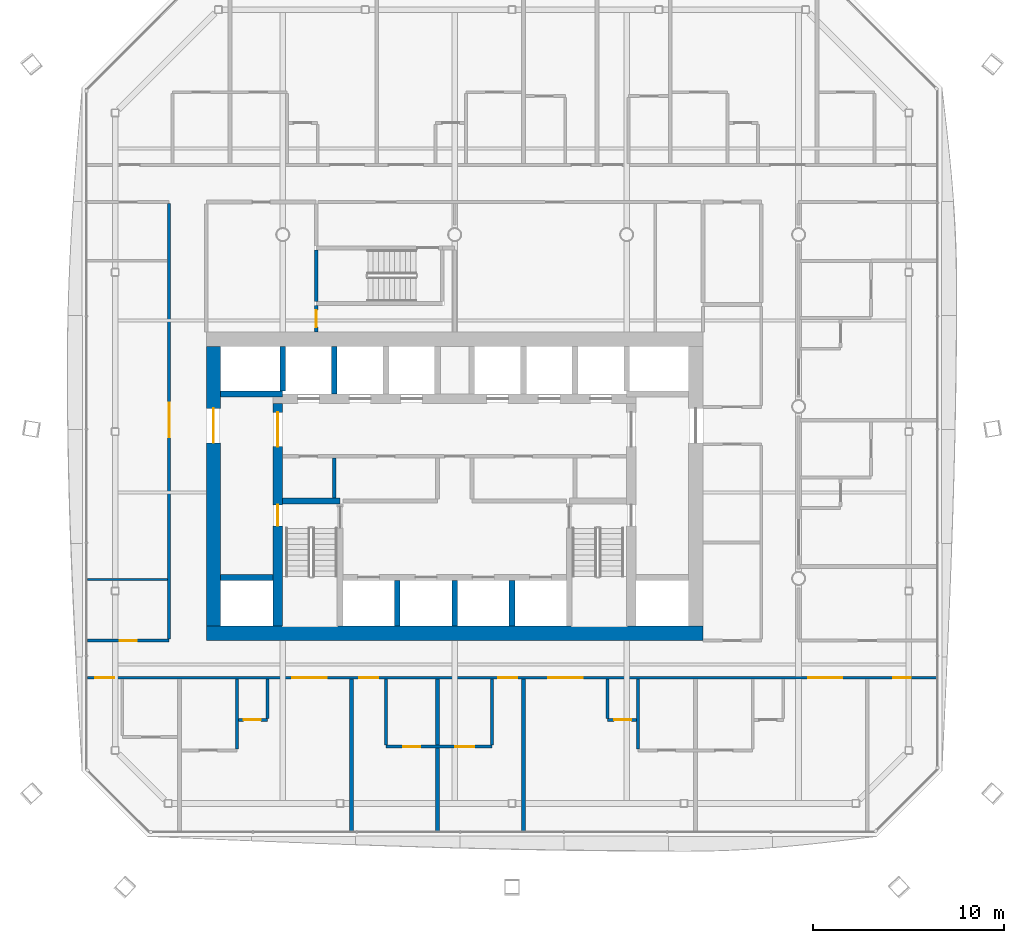
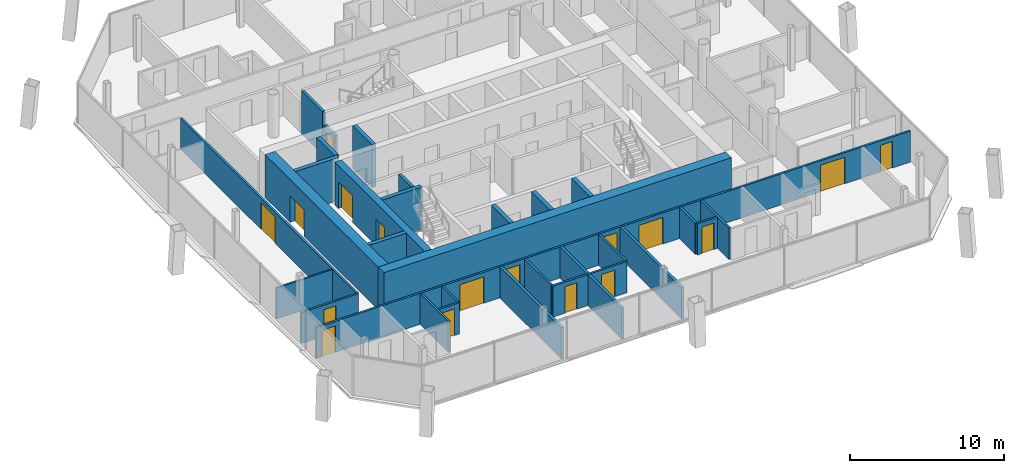
# One storey, part 11 of 18: 30 walls, 17 doors, 17 openings.
"""IFC4 building model written with IfcOpenShell, lengths in metres."""

from ifc_helpers import new_model, si_unit, direction, frame, frame_2d, origin, place, context, subcontext, project, spatial, rectangle, extrude, material, layer, layer_set, type_object, element, fill, save


model = new_model("IFC4")

# Units and contexts
model_context = context("Model", 3, precision=1e-05, world=origin(), true_north=direction((0.0, 1.0)))
body_context = subcontext(model_context, "Body", "Model", "MODEL_VIEW")
ifc_project = project(units=[si_unit("LENGTHUNIT", "METRE"), si_unit("AREAUNIT", "SQUARE_METRE"), si_unit("VOLUMEUNIT", "CUBIC_METRE"), si_unit("PLANEANGLEUNIT", "RADIAN"), si_unit("MASSUNIT", "GRAM", prefix="KILO")], contexts=[model_context])

# Site, building, storey
site_placement = place(None, origin())
site = spatial("IfcSite", under=ifc_project, at=site_placement, CompositionType="ELEMENT")
building_placement = place(site_placement, origin())
building = spatial("IfcBuilding", under=site, at=building_placement, Name="Tskaro Facet Tower", CompositionType="ELEMENT")
storey_placement = place(building_placement, frame((0.0, 0.0, 145.300048828125)))
storey = spatial("IfcBuildingStorey", under=building, at=storey_placement, Name="L35", CompositionType="ELEMENT", Elevation=145.300048828125)

# Walls
ifc_material_1 = material(Name="Concrete C60/75", Category="concrete")
ifc_layer_1 = layer(ifc_material_1, 0.300048828125, Name="Concrete C60/75")
ifc_layer_set_1 = layer_set([ifc_layer_1], Name="Concrete C60/75")
wall_type_1 = type_object("IfcWallType", Name="CORE-SHAFT", PredefinedType="SHEAR", material=ifc_layer_set_1)
wall_1_placement = place(storey_placement, frame((-12.25, -8.949951171875, 0.0), z_axis=(0.0, 0.0, 1.0), x_axis=(1.0, 0.0, 0.0)))
element("IfcWall", 1, at=wall_1_placement, inside=storey, type_object=wall_type_1, Name="Shaft wall W013", PredefinedType="SHEAR", context=body_context, shape_type="SweptSolid", body=[
    extrude(rectangle(XDim=2.75, YDim=0.300048828125, at=frame_2d((1.375, 0.0))), origin(), (0.0, 0.0, 1.0), 3.39990234375),
])
wall_2_placement = place(storey_placement, frame((-9.0, -4.949951171875, 0.0), z_axis=(0.0, 0.0, 1.0), x_axis=(1.0, 0.0, 0.0)))
element("IfcWall", 2, at=wall_2_placement, inside=storey, type_object=wall_type_1, Name="Shaft wall W019", PredefinedType="SHEAR", context=body_context, shape_type="SweptSolid", body=[
    extrude(rectangle(XDim=3.0, YDim=0.300048828125, at=frame_2d((1.5, 0.0))), origin(), (0.0, 0.0, 1.0), 3.39990234375),
])
wall_3_placement = place(storey_placement, frame((-9.0, 0.64990234375, 0.0), z_axis=(0.0, 0.0, 1.0), x_axis=(-1.0, 0.0, 0.0)))
element("IfcWall", 3, at=wall_3_placement, inside=storey, type_object=wall_type_1, Name="Shaft wall W028", PredefinedType="SHEAR", context=body_context, shape_type="SweptSolid", body=[
    extrude(rectangle(XDim=3.25, YDim=0.300048828125, at=frame_2d((1.625, 0.0))), origin(), (0.0, 0.0, 1.0), 3.39990234375),
])
wall_4_placement = place(storey_placement, frame((-9.0, 0.800048828125, 0.0), z_axis=(0.0, 0.0, 1.0), x_axis=(0.0, 1.0, 0.0)))
element("IfcWall", 4, at=wall_4_placement, inside=storey, type_object=wall_type_1, Name="Shaft wall W062", PredefinedType="SHEAR", context=body_context, shape_type="SweptSolid", body=[
    extrude(rectangle(XDim=2.349853515625, YDim=0.300048828125, at=frame_2d((1.1748046875, 0.0))), origin(), (0.0, 0.0, 1.0), 3.39990234375),
])
wall_5_placement = place(storey_placement, frame((-6.300048828125, 0.64990234375, 0.0), z_axis=(0.0, 0.0, 1.0), x_axis=(0.0, 1.0, 0.0)))
element("IfcWall", 5, at=wall_5_placement, inside=storey, type_object=wall_type_1, Name="Shaft wall W069", PredefinedType="SHEAR", context=body_context, shape_type="SweptSolid", body=[
    extrude(rectangle(XDim=2.5, YDim=0.300048828125, at=frame_2d((1.25, 0.0))), origin(), (0.0, 0.0, 1.0), 3.39990234375),
])
for number, where, z_axis, x_axis, name in (
    (6, (-3.0, -11.5, 0.0), (0.0, 0.0, 1.0), (0.0, 1.0, 0.0), "Shaft wall W075"),
    (7, (0.0, -11.5, 0.0), (0.0, 0.0, 1.0), (0.0, 1.0, 0.0), "Shaft wall W081"),
    (8, (3.0, -11.5, 0.0), (0.0, 0.0, 1.0), (0.0, 1.0, 0.0), "Shaft wall W088"),
):
    element("IfcWall", number, at=place(storey_placement, frame(where, z_axis=z_axis, x_axis=x_axis)), inside=storey, type_object=wall_type_1, Name=name, PredefinedType="SHEAR", context=body_context, shape_type="SweptSolid", body=[
        extrude(rectangle(XDim=2.39990234375, YDim=0.300048828125, at=frame_2d((1.199951171875, 0.0))), origin(), (0.0, 0.0, 1.0), 3.39990234375),
    ])
ifc_material_2 = material(Name="Concrete C20/25", Category="concrete")
ifc_layer_2 = layer(ifc_material_2, 0.199951171875, Name="Concrete C20/25")
ifc_layer_set_2 = layer_set([ifc_layer_2], Name="Concrete C20/25")
wall_type_2 = type_object("IfcWallType", Name="CORE-WALL", PredefinedType="SOLIDWALL", material=ifc_layer_set_2)
wall_6_placement = place(storey_placement, frame((-6.300048828125, -4.800048828125, 0.0), z_axis=(0.0, 0.0, 1.0), x_axis=(0.0, 1.0, 0.0)))
element("IfcWall", 9, at=wall_6_placement, inside=storey, type_object=wall_type_2, Name="Core room wall W068", PredefinedType="SOLIDWALL", context=body_context, shape_type="SweptSolid", body=[
    extrude(rectangle(XDim=2.10009765625, YDim=0.199951171875, at=frame_2d((1.050048828125, 0.0))), origin(), (0.0, 0.0, 1.0), 3.099853515625),
])

# Wall, openings, doors
ifc_material_3 = material(Name="Concrete C40/50", Category="concrete")
ifc_layer_3 = layer(ifc_material_3, 0.5, Name="Concrete C40/50")
ifc_layer_set_3 = layer_set([ifc_layer_3], Name="Concrete C40/50")
wall_type_3 = type_object("IfcWallType", Name="Core wall 500", PredefinedType="SHEAR", material=ifc_layer_set_3)
wall_7_placement = place(storey_placement, frame((-9.25, -11.5, 0.0), z_axis=(0.0, 0.0, 1.0), x_axis=(0.0, 1.0, 0.0)))
wall_7 = element("IfcWall", 10, at=wall_7_placement, inside=storey, type_object=wall_type_3, Name="Core wall CW-Z3W", PredefinedType="SHEAR", context=body_context, shape_type="SweptSolid", body=[
    extrude(rectangle(XDim=11.64990234375, YDim=0.5, at=frame_2d((5.824951171875, 0.0))), origin(), (0.0, 0.0, 1.0), 3.39990234375),
])
opening_1_placement = place(wall_7_placement, frame((9.39990234375, 0.0, 0.0)))
opening_1 = element("IfcOpeningElement", 11, at=opening_1_placement, cuts=wall_7, Name="Opening T10-D30", PredefinedType="OPENING", context=body_context, shape_type="SweptSolid", body=[
    extrude(rectangle(XDim=1.800048828125, YDim=2.10009765625, at=frame_2d((0.89990234375, 1.050048828125))), frame((0.0, 0.260009765625, 0.0), z_axis=(0.0, -1.0, 0.0), x_axis=(1.0, 0.0, 0.0)), (0.0, 0.0, 1.0), 0.52001953125),
])
opening_2_placement = place(wall_7_placement, frame((5.25, 0.0, 0.0)))
opening_2 = element("IfcOpeningElement", 12, at=opening_2_placement, cuts=wall_7, Name="Opening ST-1-D2", PredefinedType="OPENING", context=body_context, shape_type="SweptSolid", body=[
    extrude(rectangle(XDim=1.10009765625, YDim=2.10009765625, at=frame_2d((0.550048828125, 1.050048828125))), frame((0.0, 0.260009765625, 0.0), z_axis=(0.0, -1.0, 0.0), x_axis=(1.0, 0.0, 0.0)), (0.0, 0.0, 1.0), 0.52001953125),
])
ifc_material_4 = material(Name="Steel", Category="steel")
door_type_1 = type_object("IfcDoorType", Name="D-CORE-PAIR", OperationType="NOTDEFINED", PredefinedType="DOOR", material=ifc_material_4)
door_1_placement = place(opening_1_placement, origin())
door_1 = element("IfcDoor", 13, at=door_1_placement, inside=storey, type_object=door_type_1, Name="Door T10-D30", OperationType="DOUBLE_DOOR_SINGLE_SWING", OverallHeight=2.10009765625, OverallWidth=1.800048828125, PredefinedType="DOOR", context=body_context, shape_type="SweptSolid", body=[
    extrude(rectangle(XDim=1.800048828125, YDim=2.10009765625, at=frame_2d((0.89990234375, 1.050048828125))), frame((0.0, 0.02490234375, 0.0), z_axis=(0.0, -1.0, 0.0), x_axis=(1.0, 0.0, 0.0)), (0.0, 0.0, 1.0), 0.050048828125),
])
fill(opening_1, door_1)
door_type_2 = type_object("IfcDoorType", Name="D-STAIR", OperationType="NOTDEFINED", PredefinedType="DOOR", material=ifc_material_4)
door_2_placement = place(opening_2_placement, origin())
door_2 = element("IfcDoor", 14, at=door_2_placement, inside=storey, type_object=door_type_2, Name="Stair door 1 west", OperationType="SINGLE_SWING_LEFT", OverallHeight=2.10009765625, OverallWidth=1.10009765625, PredefinedType="DOOR", context=body_context, shape_type="SweptSolid", body=[
    extrude(rectangle(XDim=1.10009765625, YDim=2.10009765625, at=frame_2d((0.550048828125, 1.050048828125))), frame((0.0, 0.02490234375, 0.0), z_axis=(0.0, -1.0, 0.0), x_axis=(1.0, 0.0, 0.0)), (0.0, 0.0, 1.0), 0.050048828125),
])
fill(opening_2, door_2)

# Wall
ifc_material_5 = material(Name="Concrete C50/60", Category="concrete")
ifc_layer_4 = layer(ifc_material_5, 0.75, Name="Concrete C50/60")
ifc_layer_set_4 = layer_set([ifc_layer_4], Name="Concrete C50/60")
wall_type_4 = type_object("IfcWallType", Name="Core wall 750", PredefinedType="SHEAR", material=ifc_layer_set_4)
wall_8_placement = place(storey_placement, frame((-13.0, -11.875, 0.0), z_axis=(0.0, 0.0, 1.0), x_axis=(1.0, 0.0, 0.0)))
element("IfcWall", 15, at=wall_8_placement, inside=storey, type_object=wall_type_4, Name="Core wall CW-Z2S", PredefinedType="SHEAR", context=body_context, shape_type="SweptSolid", body=[
    extrude(rectangle(XDim=26.0, YDim=0.75, at=frame_2d((13.0, 0.0))), origin(), (0.0, 0.0, 1.0), 3.39990234375),
])

# Wall, opening, door
wall_9_placement = place(storey_placement, frame((-12.625, -11.5, 0.0), z_axis=(0.0, 0.0, 1.0), x_axis=(0.0, 1.0, 0.0)))
wall_9 = element("IfcWall", 16, at=wall_9_placement, inside=storey, type_object=wall_type_4, Name="Core wall CW-Z2W", PredefinedType="SHEAR", context=body_context, shape_type="SweptSolid", body=[
    extrude(rectangle(XDim=14.64990234375, YDim=0.75, at=frame_2d((7.324951171875, 0.0))), origin(), (0.0, 0.0, 1.0), 3.39990234375),
])
opening_3_placement = place(wall_9_placement, frame((9.60009765625, 0.0, 0.0)))
opening_3 = element("IfcOpeningElement", 17, at=opening_3_placement, cuts=wall_9, Name="Opening T10-D32", PredefinedType="OPENING", context=body_context, shape_type="SweptSolid", body=[
    extrude(rectangle(XDim=1.800048828125, YDim=2.10009765625, at=frame_2d((0.89990234375, 1.050048828125))), frame((0.0, 0.385009765625, 0.0), z_axis=(0.0, -1.0, 0.0), x_axis=(1.0, 0.0, 0.0)), (0.0, 0.0, 1.0), 0.77001953125),
])
door_3_placement = place(opening_3_placement, origin())
door_3 = element("IfcDoor", 18, at=door_3_placement, inside=storey, type_object=door_type_1, Name="Door T10-D32", OperationType="DOUBLE_DOOR_SINGLE_SWING", OverallHeight=2.10009765625, OverallWidth=1.800048828125, PredefinedType="DOOR", context=body_context, shape_type="SweptSolid", body=[
    extrude(rectangle(XDim=1.800048828125, YDim=2.10009765625, at=frame_2d((0.89990234375, 1.050048828125))), frame((0.0, 0.02490234375, 0.0), z_axis=(0.0, -1.0, 0.0), x_axis=(1.0, 0.0, 0.0)), (0.0, 0.0, 1.0), 0.050048828125),
])
fill(opening_3, door_3)

# Wall
ifc_material_6 = material(Name="Gypsum board on steel studs", Category="steel")
ifc_layer_5 = layer(ifc_material_6, 0.125, Name="Gypsum board on steel studs")
ifc_layer_set_5 = layer_set([ifc_layer_5], Name="Gypsum board on steel studs")
wall_type_5 = type_object("IfcWallType", Name="PART", PredefinedType="PARTITIONING", material=ifc_layer_set_5)
wall_10_placement = place(storey_placement, frame((-19.221923828125, -9.056884765625, 0.0), z_axis=(0.0, 0.0, 1.0), x_axis=(1.0, 0.0, 0.0)))
element("IfcWall", 19, at=wall_10_placement, inside=storey, type_object=wall_type_5, Name="Partition W012", PredefinedType="PARTITIONING", context=body_context, shape_type="SweptSolid", body=[
    extrude(rectangle(XDim=4.197021484375, YDim=0.125, at=frame_2d((2.0986328125, 0.0))), origin(), (0.0, 0.0, 1.0), 2.4599609375),
])

# Wall, openings, doors
ifc_layer_6 = layer(ifc_material_6, 0.14990234375, Name="Gypsum board on steel studs")
ifc_layer_set_6 = layer_set([ifc_layer_6], Name="Gypsum board on steel studs")
wall_type_6 = type_object("IfcWallType", Name="PART-CORR", PredefinedType="PARTITIONING", material=ifc_layer_set_6)
wall_11_placement = place(storey_placement, frame((-3.60009765625, -17.800048828125, 0.0), z_axis=(0.0, 0.0, 1.0), x_axis=(1.0, 0.0, 0.0)))
wall_11 = element("IfcWall", 20, at=wall_11_placement, inside=storey, type_object=wall_type_6, Name="Corridor wall W003", PredefinedType="PARTITIONING", context=body_context, shape_type="SweptSolid", body=[
    extrude(rectangle(XDim=5.550048828125, YDim=0.14990234375, at=frame_2d((2.77490234375, 0.0))), origin(), (0.0, 0.0, 1.0), 2.4599609375),
])
opening_4_placement = place(wall_11_placement, frame((0.89990234375, 0.0, 0.0)))
opening_4 = element("IfcOpeningElement", 21, at=opening_4_placement, cuts=wall_11, Name="Opening T10-D04", PredefinedType="OPENING", context=body_context, shape_type="SweptSolid", body=[
    extrude(rectangle(XDim=0.89990234375, YDim=2.10009765625, at=frame_2d((0.449951171875, 1.050048828125))), frame((0.0, 0.0849609375, 0.0), z_axis=(0.0, -1.0, 0.0), x_axis=(1.0, 0.0, 0.0)), (0.0, 0.0, 1.0), 0.169921875),
])
opening_5_placement = place(wall_11_placement, frame((3.625, 0.0, 0.0)))
opening_5 = element("IfcOpeningElement", 22, at=opening_5_placement, cuts=wall_11, Name="Opening T10-D05", PredefinedType="OPENING", context=body_context, shape_type="SweptSolid", body=[
    extrude(rectangle(XDim=1.0, YDim=2.10009765625, at=frame_2d((0.5, 1.050048828125))), frame((0.0, 0.0849609375, 0.0), z_axis=(0.0, -1.0, 0.0), x_axis=(1.0, 0.0, 0.0)), (0.0, 0.0, 1.0), 0.169921875),
])
ifc_material_7 = material(Name="Timber", Category="wood")
door_type_3 = type_object("IfcDoorType", Name="D-ROOM", OperationType="NOTDEFINED", PredefinedType="DOOR", material=ifc_material_7)
door_4_placement = place(opening_4_placement, origin())
door_4 = element("IfcDoor", 23, at=door_4_placement, inside=storey, type_object=door_type_3, Name="Door T10-D04", OperationType="SINGLE_SWING_LEFT", OverallHeight=2.10009765625, OverallWidth=0.89990234375, PredefinedType="DOOR", context=body_context, shape_type="SweptSolid", body=[
    extrude(rectangle(XDim=0.89990234375, YDim=2.10009765625, at=frame_2d((0.449951171875, 1.050048828125))), frame((0.0, 0.02490234375, 0.0), z_axis=(0.0, -1.0, 0.0), x_axis=(1.0, 0.0, 0.0)), (0.0, 0.0, 1.0), 0.050048828125),
])
fill(opening_4, door_4)
door_type_4 = type_object("IfcDoorType", Name="D-ROOM-WIDE", OperationType="NOTDEFINED", PredefinedType="DOOR", material=ifc_material_7)
door_5_placement = place(opening_5_placement, origin())
door_5 = element("IfcDoor", 24, at=door_5_placement, inside=storey, type_object=door_type_4, Name="Door T10-D05", OperationType="SINGLE_SWING_LEFT", OverallHeight=2.10009765625, OverallWidth=1.0, PredefinedType="DOOR", context=body_context, shape_type="SweptSolid", body=[
    extrude(rectangle(XDim=1.0, YDim=2.10009765625, at=frame_2d((0.5, 1.050048828125))), frame((0.0, 0.02490234375, 0.0), z_axis=(0.0, -1.0, 0.0), x_axis=(1.0, 0.0, 0.0)), (0.0, 0.0, 1.0), 0.050048828125),
])
fill(opening_5, door_5)

# Wall, opening, door
wall_12_placement = place(storey_placement, frame((-11.323974609375, -16.39990234375, 0.0), z_axis=(0.0, 0.0, 1.0), x_axis=(1.0, 0.0, 0.0)))
wall_12 = element("IfcWall", 25, at=wall_12_placement, inside=storey, type_object=wall_type_6, Name="Corridor wall W005", PredefinedType="PARTITIONING", context=body_context, shape_type="SweptSolid", body=[
    extrude(rectangle(XDim=1.52490234375, YDim=0.14990234375, at=frame_2d((0.762451171875, 0.0))), origin(), (0.0, 0.0, 1.0), 2.4599609375),
])
opening_6_placement = place(wall_12_placement, frame((0.27490234375, 0.0, 0.0)))
opening_6 = element("IfcOpeningElement", 26, at=opening_6_placement, cuts=wall_12, Name="Opening T10-D07", PredefinedType="OPENING", context=body_context, shape_type="SweptSolid", body=[
    extrude(rectangle(XDim=0.89990234375, YDim=2.10009765625, at=frame_2d((0.449951171875, 1.050048828125))), frame((0.0, 0.0849609375, 0.0), z_axis=(0.0, -1.0, 0.0), x_axis=(1.0, 0.0, 0.0)), (0.0, 0.0, 1.0), 0.169921875),
])
door_6_placement = place(opening_6_placement, origin())
door_6 = element("IfcDoor", 27, at=door_6_placement, inside=storey, type_object=door_type_3, Name="Door T10-D07", OperationType="SINGLE_SWING_LEFT", OverallHeight=2.10009765625, OverallWidth=0.89990234375, PredefinedType="DOOR", context=body_context, shape_type="SweptSolid", body=[
    extrude(rectangle(XDim=0.89990234375, YDim=2.10009765625, at=frame_2d((0.449951171875, 1.050048828125))), frame((0.0, 0.02490234375, 0.0), z_axis=(0.0, -1.0, 0.0), x_axis=(1.0, 0.0, 0.0)), (0.0, 0.0, 1.0), 0.050048828125),
])
fill(opening_6, door_6)

wall_13_placement = place(storey_placement, frame((8.0, -16.39990234375, 0.0), z_axis=(0.0, 0.0, 1.0), x_axis=(1.0, 0.0, 0.0)))
wall_13 = element("IfcWall", 28, at=wall_13_placement, inside=storey, type_object=wall_type_6, Name="Corridor wall W006", PredefinedType="PARTITIONING", context=body_context, shape_type="SweptSolid", body=[
    extrude(rectangle(XDim=1.52490234375, YDim=0.14990234375, at=frame_2d((0.762451171875, 0.0))), origin(), (0.0, 0.0, 1.0), 2.4599609375),
])
opening_7_placement = place(wall_13_placement, frame((0.35009765625, 0.0, 0.0)))
opening_7 = element("IfcOpeningElement", 29, at=opening_7_placement, cuts=wall_13, Name="Opening T10-D08", PredefinedType="OPENING", context=body_context, shape_type="SweptSolid", body=[
    extrude(rectangle(XDim=0.89990234375, YDim=2.10009765625, at=frame_2d((0.449951171875, 1.050048828125))), frame((0.0, 0.0849609375, 0.0), z_axis=(0.0, -1.0, 0.0), x_axis=(1.0, 0.0, 0.0)), (0.0, 0.0, 1.0), 0.169921875),
])
door_7_placement = place(opening_7_placement, origin())
door_7 = element("IfcDoor", 30, at=door_7_placement, inside=storey, type_object=door_type_3, Name="Door T10-D08", OperationType="SINGLE_SWING_LEFT", OverallHeight=2.10009765625, OverallWidth=0.89990234375, PredefinedType="DOOR", context=body_context, shape_type="SweptSolid", body=[
    extrude(rectangle(XDim=0.89990234375, YDim=2.10009765625, at=frame_2d((0.449951171875, 1.050048828125))), frame((0.0, 0.02490234375, 0.0), z_axis=(0.0, -1.0, 0.0), x_axis=(1.0, 0.0, 0.0)), (0.0, 0.0, 1.0), 0.050048828125),
])
fill(opening_7, door_7)

# Wall, openings, doors
wall_14_placement = place(storey_placement, frame((25.221923828125, -14.199951171875, 0.0), z_axis=(0.0, 0.0, 1.0), x_axis=(-1.0, 0.0, 0.0)))
wall_14 = element("IfcWall", 31, at=wall_14_placement, inside=storey, type_object=wall_type_6, Name="Corridor wall W008", PredefinedType="PARTITIONING", context=body_context, shape_type="SweptSolid", body=[
    extrude(rectangle(XDim=44.44384765625, YDim=0.14990234375, at=frame_2d((22.221923828125, 0.0))), origin(), (0.0, 0.0, 1.0), 2.4599609375),
])
opening_8_placement = place(wall_14_placement, frame((43.032470703125, 0.0, 0.0)))
opening_8 = element("IfcOpeningElement", 32, at=opening_8_placement, cuts=wall_14, Name="Opening T10-D10", PredefinedType="OPENING", context=body_context, shape_type="SweptSolid", body=[
    extrude(rectangle(XDim=1.0, YDim=2.10009765625, at=frame_2d((0.5, 1.050048828125))), frame((0.0, 0.0849609375, 0.0), z_axis=(0.0, -1.0, 0.0), x_axis=(1.0, 0.0, 0.0)), (0.0, 0.0, 1.0), 0.169921875),
])
opening_9_placement = place(wall_14_placement, frame((31.92138671875, 0.0, 0.0)))
opening_9 = element("IfcOpeningElement", 33, at=opening_9_placement, cuts=wall_14, Name="Opening T10-D11", PredefinedType="OPENING", context=body_context, shape_type="SweptSolid", body=[
    extrude(rectangle(XDim=1.800048828125, YDim=2.10009765625, at=frame_2d((0.89990234375, 1.050048828125))), frame((0.0, 0.0849609375, 0.0), z_axis=(0.0, -1.0, 0.0), x_axis=(1.0, 0.0, 0.0)), (0.0, 0.0, 1.0), 0.169921875),
])
opening_10_placement = place(wall_14_placement, frame((29.221923828125, 0.0, 0.0)))
opening_10 = element("IfcOpeningElement", 34, at=opening_10_placement, cuts=wall_14, Name="Opening T10-D12", PredefinedType="OPENING", context=body_context, shape_type="SweptSolid", body=[
    extrude(rectangle(XDim=1.0, YDim=2.10009765625, at=frame_2d((0.5, 1.050048828125))), frame((0.0, 0.0849609375, 0.0), z_axis=(0.0, -1.0, 0.0), x_axis=(1.0, 0.0, 0.0)), (0.0, 0.0, 1.0), 0.169921875),
])
opening_11_placement = place(wall_14_placement, frame((21.947021484375, 0.0, 0.0)))
opening_11 = element("IfcOpeningElement", 35, at=opening_11_placement, cuts=wall_14, Name="Opening T10-D13", PredefinedType="OPENING", context=body_context, shape_type="SweptSolid", body=[
    extrude(rectangle(XDim=1.0, YDim=2.10009765625, at=frame_2d((0.5, 1.050048828125))), frame((0.0, 0.0849609375, 0.0), z_axis=(0.0, -1.0, 0.0), x_axis=(1.0, 0.0, 0.0)), (0.0, 0.0, 1.0), 0.169921875),
])
opening_12_placement = place(wall_14_placement, frame((18.52197265625, 0.0, 0.0)))
opening_12 = element("IfcOpeningElement", 36, at=opening_12_placement, cuts=wall_14, Name="Opening T10-D14", PredefinedType="OPENING", context=body_context, shape_type="SweptSolid", body=[
    extrude(rectangle(XDim=1.800048828125, YDim=2.10009765625, at=frame_2d((0.89990234375, 1.050048828125))), frame((0.0, 0.0849609375, 0.0), z_axis=(0.0, -1.0, 0.0), x_axis=(1.0, 0.0, 0.0)), (0.0, 0.0, 1.0), 0.169921875),
])
opening_13_placement = place(wall_14_placement, frame((4.922607421875, 0.0, 0.0)))
opening_13 = element("IfcOpeningElement", 37, at=opening_13_placement, cuts=wall_14, Name="Opening T10-D15", PredefinedType="OPENING", context=body_context, shape_type="SweptSolid", body=[
    extrude(rectangle(XDim=1.800048828125, YDim=2.10009765625, at=frame_2d((0.89990234375, 1.050048828125))), frame((0.0, 0.0849609375, 0.0), z_axis=(0.0, -1.0, 0.0), x_axis=(1.0, 0.0, 0.0)), (0.0, 0.0, 1.0), 0.169921875),
])
opening_14_placement = place(wall_14_placement, frame((1.361572265625, 0.0, 0.0)))
opening_14 = element("IfcOpeningElement", 38, at=opening_14_placement, cuts=wall_14, Name="Opening T10-D16", PredefinedType="OPENING", context=body_context, shape_type="SweptSolid", body=[
    extrude(rectangle(XDim=0.89990234375, YDim=2.10009765625, at=frame_2d((0.449951171875, 1.050048828125))), frame((0.0, 0.0849609375, 0.0), z_axis=(0.0, -1.0, 0.0), x_axis=(1.0, 0.0, 0.0)), (0.0, 0.0, 1.0), 0.169921875),
])
door_type_5 = type_object("IfcDoorType", Name="D-ENTRY", OperationType="NOTDEFINED", PredefinedType="DOOR", material=ifc_material_7)
door_8_placement = place(opening_8_placement, origin())
door_8 = element("IfcDoor", 39, at=door_8_placement, inside=storey, type_object=door_type_5, Name="Door T10-D10", OperationType="SINGLE_SWING_LEFT", OverallHeight=2.10009765625, OverallWidth=1.0, PredefinedType="DOOR", context=body_context, shape_type="SweptSolid", body=[
    extrude(rectangle(XDim=1.0, YDim=2.10009765625, at=frame_2d((0.5, 1.050048828125))), frame((0.0, 0.02490234375, 0.0), z_axis=(0.0, -1.0, 0.0), x_axis=(1.0, 0.0, 0.0)), (0.0, 0.0, 1.0), 0.050048828125),
])
fill(opening_8, door_8)
door_9_placement = place(opening_10_placement, origin())
door_9 = element("IfcDoor", 40, at=door_9_placement, inside=storey, type_object=door_type_5, Name="Door T10-D12", OperationType="SINGLE_SWING_RIGHT", OverallHeight=2.10009765625, OverallWidth=1.0, PredefinedType="DOOR", context=body_context, shape_type="SweptSolid", body=[
    extrude(rectangle(XDim=1.0, YDim=2.10009765625, at=frame_2d((0.5, 1.050048828125))), frame((0.0, 0.02490234375, 0.0), z_axis=(0.0, -1.0, 0.0), x_axis=(1.0, 0.0, 0.0)), (0.0, 0.0, 1.0), 0.050048828125),
])
fill(opening_10, door_9)
door_10_placement = place(opening_11_placement, origin())
door_10 = element("IfcDoor", 41, at=door_10_placement, inside=storey, type_object=door_type_5, Name="Door T10-D13", OperationType="SINGLE_SWING_LEFT", OverallHeight=2.10009765625, OverallWidth=1.0, PredefinedType="DOOR", context=body_context, shape_type="SweptSolid", body=[
    extrude(rectangle(XDim=1.0, YDim=2.10009765625, at=frame_2d((0.5, 1.050048828125))), frame((0.0, 0.02490234375, 0.0), z_axis=(0.0, -1.0, 0.0), x_axis=(1.0, 0.0, 0.0)), (0.0, 0.0, 1.0), 0.050048828125),
])
fill(opening_11, door_10)
door_11_placement = place(opening_14_placement, origin())
door_11 = element("IfcDoor", 42, at=door_11_placement, inside=storey, type_object=door_type_3, Name="Door T10-D16", OperationType="SINGLE_SWING_RIGHT", OverallHeight=2.10009765625, OverallWidth=0.89990234375, PredefinedType="DOOR", context=body_context, shape_type="SweptSolid", body=[
    extrude(rectangle(XDim=0.89990234375, YDim=2.10009765625, at=frame_2d((0.449951171875, 1.050048828125))), frame((0.0, 0.02490234375, 0.0), z_axis=(0.0, -1.0, 0.0), x_axis=(1.0, 0.0, 0.0)), (0.0, 0.0, 1.0), 0.050048828125),
])
fill(opening_14, door_11)
door_type_6 = type_object("IfcDoorType", Name="D-SUITE-PAIR", OperationType="NOTDEFINED", PredefinedType="DOOR", material=ifc_material_7)
door_12_placement = place(opening_9_placement, origin())
door_12 = element("IfcDoor", 43, at=door_12_placement, inside=storey, type_object=door_type_6, Name="Door T10-D11", OperationType="DOUBLE_DOOR_SINGLE_SWING", OverallHeight=2.10009765625, OverallWidth=1.800048828125, PredefinedType="DOOR", context=body_context, shape_type="SweptSolid", body=[
    extrude(rectangle(XDim=1.800048828125, YDim=2.10009765625, at=frame_2d((0.89990234375, 1.050048828125))), frame((0.0, 0.02490234375, 0.0), z_axis=(0.0, -1.0, 0.0), x_axis=(1.0, 0.0, 0.0)), (0.0, 0.0, 1.0), 0.050048828125),
])
fill(opening_9, door_12)
door_13_placement = place(opening_12_placement, origin())
door_13 = element("IfcDoor", 44, at=door_13_placement, inside=storey, type_object=door_type_6, Name="Door T10-D14", OperationType="DOUBLE_DOOR_SINGLE_SWING", OverallHeight=2.10009765625, OverallWidth=1.800048828125, PredefinedType="DOOR", context=body_context, shape_type="SweptSolid", body=[
    extrude(rectangle(XDim=1.800048828125, YDim=2.10009765625, at=frame_2d((0.89990234375, 1.050048828125))), frame((0.0, 0.02490234375, 0.0), z_axis=(0.0, -1.0, 0.0), x_axis=(1.0, 0.0, 0.0)), (0.0, 0.0, 1.0), 0.050048828125),
])
fill(opening_12, door_13)
door_14_placement = place(opening_13_placement, origin())
door_14 = element("IfcDoor", 45, at=door_14_placement, inside=storey, type_object=door_type_6, Name="Door T10-D15", OperationType="DOUBLE_DOOR_SINGLE_SWING", OverallHeight=2.10009765625, OverallWidth=1.800048828125, PredefinedType="DOOR", context=body_context, shape_type="SweptSolid", body=[
    extrude(rectangle(XDim=1.800048828125, YDim=2.10009765625, at=frame_2d((0.89990234375, 1.050048828125))), frame((0.0, 0.02490234375, 0.0), z_axis=(0.0, -1.0, 0.0), x_axis=(1.0, 0.0, 0.0)), (0.0, 0.0, 1.0), 0.050048828125),
])
fill(opening_13, door_14)

# Wall, opening, door
wall_15_placement = place(storey_placement, frame((-19.221923828125, -12.25, 0.0), z_axis=(0.0, 0.0, 1.0), x_axis=(1.0, 0.0, 0.0)))
wall_15 = element("IfcWall", 46, at=wall_15_placement, inside=storey, type_object=wall_type_6, Name="Corridor wall W009", PredefinedType="PARTITIONING", context=body_context, shape_type="SweptSolid", body=[
    extrude(rectangle(XDim=4.27197265625, YDim=0.14990234375, at=frame_2d((2.135986328125, 0.0))), origin(), (0.0, 0.0, 1.0), 2.4599609375),
])
opening_15_placement = place(wall_15_placement, frame((1.68603515625, 0.0, 0.0)))
opening_15 = element("IfcOpeningElement", 47, at=opening_15_placement, cuts=wall_15, Name="Opening T10-D17", PredefinedType="OPENING", context=body_context, shape_type="SweptSolid", body=[
    extrude(rectangle(XDim=0.89990234375, YDim=2.10009765625, at=frame_2d((0.449951171875, 1.050048828125))), frame((0.0, 0.0849609375, 0.0), z_axis=(0.0, -1.0, 0.0), x_axis=(1.0, 0.0, 0.0)), (0.0, 0.0, 1.0), 0.169921875),
])
door_15_placement = place(opening_15_placement, origin())
door_15 = element("IfcDoor", 48, at=door_15_placement, inside=storey, type_object=door_type_3, Name="Door T10-D17", OperationType="SINGLE_SWING_LEFT", OverallHeight=2.10009765625, OverallWidth=0.89990234375, PredefinedType="DOOR", context=body_context, shape_type="SweptSolid", body=[
    extrude(rectangle(XDim=0.89990234375, YDim=2.10009765625, at=frame_2d((0.449951171875, 1.050048828125))), frame((0.0, 0.02490234375, 0.0), z_axis=(0.0, -1.0, 0.0), x_axis=(1.0, 0.0, 0.0)), (0.0, 0.0, 1.0), 0.050048828125),
])
fill(opening_15, door_15)

wall_16_placement = place(storey_placement, frame((-14.949951171875, -12.175048828125, 0.0), z_axis=(0.0, 0.0, 1.0), x_axis=(0.0, 1.0, 0.0)))
wall_16 = element("IfcWall", 49, at=wall_16_placement, inside=storey, type_object=wall_type_6, Name="Corridor wall W055", PredefinedType="PARTITIONING", context=body_context, shape_type="SweptSolid", body=[
    extrude(rectangle(XDim=22.800048828125, YDim=0.14990234375, at=frame_2d((11.39990234375, 0.0))), origin(), (0.0, 0.0, 1.0), 2.4599609375),
])
opening_16_placement = place(wall_16_placement, frame((10.5595703125, 0.0, 0.0)))
opening_16 = element("IfcOpeningElement", 50, at=opening_16_placement, cuts=wall_16, Name="Opening T10-D34", PredefinedType="OPENING", context=body_context, shape_type="SweptSolid", body=[
    extrude(rectangle(XDim=1.800048828125, YDim=2.10009765625, at=frame_2d((0.89990234375, 1.050048828125))), frame((0.0, 0.0849609375, 0.0), z_axis=(0.0, -1.0, 0.0), x_axis=(1.0, 0.0, 0.0)), (0.0, 0.0, 1.0), 0.169921875),
])
ifc_material_8 = material(Name="Glass", Category="glass")
door_type_7 = type_object("IfcDoorType", Name="D-ENTRY-PAIR", OperationType="NOTDEFINED", PredefinedType="DOOR", material=ifc_material_8)
door_16_placement = place(opening_16_placement, origin())
door_16 = element("IfcDoor", 51, at=door_16_placement, inside=storey, type_object=door_type_7, Name="Door T10-D34", OperationType="DOUBLE_DOOR_SINGLE_SWING", OverallHeight=2.10009765625, OverallWidth=1.800048828125, PredefinedType="DOOR", context=body_context, shape_type="SweptSolid", body=[
    extrude(rectangle(XDim=1.800048828125, YDim=2.10009765625, at=frame_2d((0.89990234375, 1.050048828125))), frame((0.0, 0.02490234375, 0.0), z_axis=(0.0, -1.0, 0.0), x_axis=(1.0, 0.0, 0.0)), (0.0, 0.0, 1.0), 0.050048828125),
])
fill(opening_16, door_16)

# Walls
wall_17_placement = place(storey_placement, frame((-11.39892578125, -17.925048828125, 0.0), z_axis=(0.0, 0.0, 1.0), x_axis=(0.0, 1.0, 0.0)))
element("IfcWall", 52, at=wall_17_placement, inside=storey, type_object=wall_type_6, Name="Corridor wall W060", PredefinedType="PARTITIONING", context=body_context, shape_type="SweptSolid", body=[
    extrude(rectangle(XDim=3.650146484375, YDim=0.14990234375, at=frame_2d((1.8251953125, 0.0))), origin(), (0.0, 0.0, 1.0), 2.4599609375),
])
wall_18_placement = place(storey_placement, frame((-9.799072265625, -16.324951171875, 0.0), z_axis=(0.0, 0.0, 1.0), x_axis=(0.0, 1.0, 0.0)))
element("IfcWall", 53, at=wall_18_placement, inside=storey, type_object=wall_type_6, Name="Corridor wall W061", PredefinedType="PARTITIONING", context=body_context, shape_type="SweptSolid", body=[
    extrude(rectangle(XDim=2.050048828125, YDim=0.14990234375, at=frame_2d((1.02490234375, 0.0))), origin(), (0.0, 0.0, 1.0), 2.4599609375),
])
for number, where, z_axis, x_axis, name in (
    (54, (-3.60009765625, -17.72509765625, 0.0), (0.0, 0.0, 1.0), (0.0, 1.0, 0.0), "Corridor wall W073"),
    (55, (1.949951171875, -17.72509765625, 0.0), (0.0, 0.0, 1.0), (0.0, 1.0, 0.0), "Corridor wall W087"),
):
    element("IfcWall", number, at=place(storey_placement, frame(where, z_axis=z_axis, x_axis=x_axis)), inside=storey, type_object=wall_type_6, Name=name, PredefinedType="PARTITIONING", context=body_context, shape_type="SweptSolid", body=[
        extrude(rectangle(XDim=3.4501953125, YDim=0.14990234375, at=frame_2d((1.72509765625, 0.0))), origin(), (0.0, 0.0, 1.0), 2.4599609375),
    ])
wall_19_placement = place(storey_placement, frame((8.0, -16.324951171875, 0.0), z_axis=(0.0, 0.0, 1.0), x_axis=(0.0, 1.0, 0.0)))
element("IfcWall", 56, at=wall_19_placement, inside=storey, type_object=wall_type_6, Name="Corridor wall W097", PredefinedType="PARTITIONING", context=body_context, shape_type="SweptSolid", body=[
    extrude(rectangle(XDim=2.050048828125, YDim=0.14990234375, at=frame_2d((1.02490234375, 0.0))), origin(), (0.0, 0.0, 1.0), 2.4599609375),
])
wall_20_placement = place(storey_placement, frame((9.60009765625, -17.925048828125, 0.0), z_axis=(0.0, 0.0, 1.0), x_axis=(0.0, 1.0, 0.0)))
element("IfcWall", 57, at=wall_20_placement, inside=storey, type_object=wall_type_6, Name="Corridor wall W100", PredefinedType="PARTITIONING", context=body_context, shape_type="SweptSolid", body=[
    extrude(rectangle(XDim=3.650146484375, YDim=0.14990234375, at=frame_2d((1.8251953125, 0.0))), origin(), (0.0, 0.0, 1.0), 2.4599609375),
])
ifc_layer_7 = layer(ifc_material_6, 0.199951171875, Name="Gypsum board on steel studs")
ifc_layer_set_7 = layer_set([ifc_layer_7], Name="Gypsum board on steel studs")
wall_type_7 = type_object("IfcWallType", Name="PART-DEMISING", PredefinedType="PARTITIONING", material=ifc_layer_set_7)
for number, where, z_axis, x_axis, name in (
    (58, (-5.39990234375, -22.221923828125, 0.0), (0.0, 0.0, 1.0), (0.0, 1.0, 0.0), "Guest room wall W071"),
    (59, (-0.89990234375, -22.221923828125, 0.0), (0.0, 0.0, 1.0), (0.0, 1.0, 0.0), "Guest room wall W077"),
    (60, (3.60009765625, -22.221923828125, 0.0), (0.0, 0.0, 1.0), (0.0, 1.0, 0.0), "Guest room wall W089"),
):
    element("IfcWall", number, at=place(storey_placement, frame(where, z_axis=z_axis, x_axis=x_axis)), inside=storey, type_object=wall_type_7, Name=name, PredefinedType="PARTITIONING", context=body_context, shape_type="SweptSolid", body=[
        extrude(rectangle(XDim=7.947021484375, YDim=0.199951171875, at=frame_2d((3.9736328125, 0.0))), origin(), (0.0, 0.0, 1.0), 2.4599609375),
    ])
ifc_layer_8 = layer(ifc_material_1, 0.199951171875, Name="Concrete C60/75")
ifc_layer_set_8 = layer_set([ifc_layer_8], Name="Concrete C60/75")
wall_type_8 = type_object("IfcWallType", Name="STAIR-WALL", PredefinedType="SHEAR", material=ifc_layer_set_8)
wall_21_placement = place(storey_placement, frame((-7.25, 5.5, 0.0), z_axis=(0.0, 0.0, 1.0), x_axis=(0.0, 1.0, 0.0)))
element("IfcWall", 61, at=wall_21_placement, inside=storey, type_object=wall_type_8, Name="Stair wall W065", PredefinedType="SHEAR", context=body_context, shape_type="SweptSolid", body=[
    extrude(rectangle(XDim=2.699951171875, YDim=0.199951171875, at=frame_2d((1.35009765625, 0.0))), origin(), (0.0, 0.0, 1.0), 3.39990234375),
])

# Wall, opening, door
ifc_layer_9 = layer(ifc_material_2, 0.199951171875, Name="Concrete C20/25")
ifc_layer_set_9 = layer_set([ifc_layer_9], Name="Concrete C20/25")
wall_type_9 = type_object("IfcWallType", Name="WALL-RISER", PredefinedType="SOLIDWALL", material=ifc_layer_set_9)
wall_22_placement = place(storey_placement, frame((-7.25, 5.300048828125, 0.0), z_axis=(0.0, 0.0, 1.0), x_axis=(0.0, -1.0, 0.0)))
wall_22 = element("IfcWall", 62, at=wall_22_placement, inside=storey, type_object=wall_type_9, Name="Riser room wall W064", PredefinedType="SOLIDWALL", context=body_context, shape_type="SweptSolid", body=[
    extrude(rectangle(XDim=1.400146484375, YDim=0.199951171875, at=frame_2d((0.7001953125, 0.0))), origin(), (0.0, 0.0, 1.0), 2.4599609375),
])
opening_17_placement = place(wall_22_placement, frame((0.25, 0.0, 0.0)))
opening_17 = element("IfcOpeningElement", 63, at=opening_17_placement, cuts=wall_22, Name="Opening T10-D40", PredefinedType="OPENING", context=body_context, shape_type="SweptSolid", body=[
    extrude(rectangle(XDim=0.89990234375, YDim=2.10009765625, at=frame_2d((0.449951171875, 1.050048828125))), frame((0.0, 0.10986328125, 0.0), z_axis=(0.0, -1.0, 0.0), x_axis=(1.0, 0.0, 0.0)), (0.0, 0.0, 1.0), 0.219970703125),
])
door_type_8 = type_object("IfcDoorType", Name="D-RISER", OperationType="NOTDEFINED", PredefinedType="DOOR", material=ifc_material_4)
door_17_placement = place(opening_17_placement, origin())
door_17 = element("IfcDoor", 64, at=door_17_placement, inside=storey, type_object=door_type_8, Name="Door T10-D40", OperationType="SINGLE_SWING_RIGHT", OverallHeight=2.10009765625, OverallWidth=0.89990234375, PredefinedType="DOOR", context=body_context, shape_type="SweptSolid", body=[
    extrude(rectangle(XDim=0.89990234375, YDim=2.10009765625, at=frame_2d((0.449951171875, 1.050048828125))), frame((0.0, 0.02490234375, 0.0), z_axis=(0.0, -1.0, 0.0), x_axis=(1.0, 0.0, 0.0)), (0.0, 0.0, 1.0), 0.050048828125),
])
fill(opening_17, door_17)

save(model, "model.ifc")
